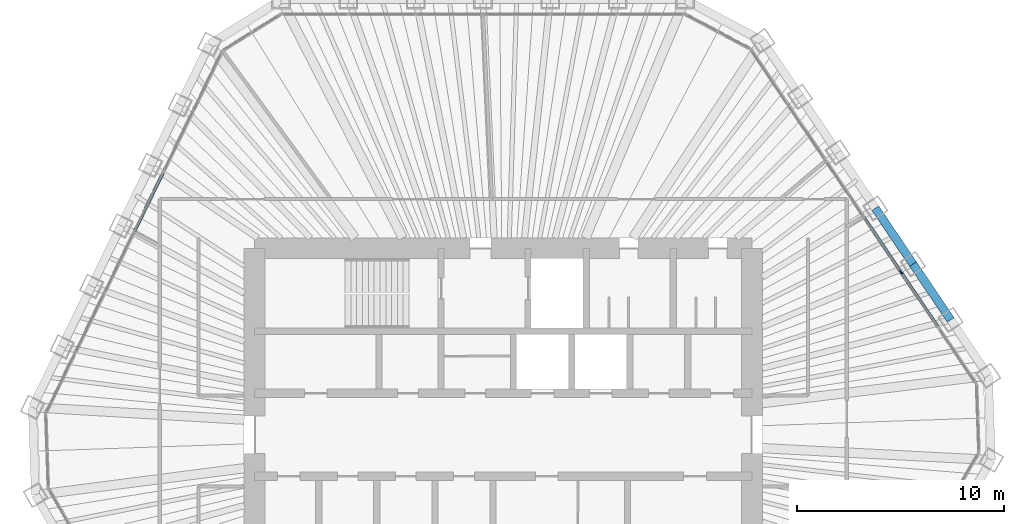
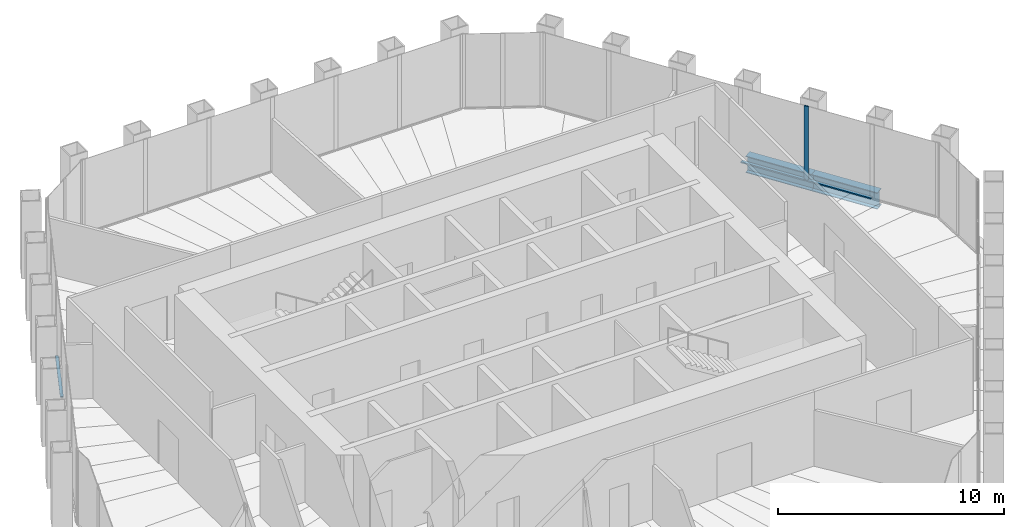
# One storey, part 6 of 14: 4 members, 2 beams, 2 elements without a shape of their own.
"""IFC4 building model written with IfcOpenShell, lengths in metres."""

from ifc_helpers import new_model, si_unit, direction, frame, origin, origin_2d, place, context, subcontext, project, spatial, rectangle, i_section, extrude, material, material_profile, profile_set, type_object, element, aggregate, save


model = new_model("IFC4")

# Units and contexts
model_context = context("Model", 3, precision=1e-05, world=origin(), true_north=direction((0.0, 1.0)))
body_context = subcontext(model_context, "Body", "Model", "MODEL_VIEW")
ifc_project = project(units=[si_unit("LENGTHUNIT", "METRE"), si_unit("AREAUNIT", "SQUARE_METRE"), si_unit("VOLUMEUNIT", "CUBIC_METRE"), si_unit("PLANEANGLEUNIT", "RADIAN"), si_unit("MASSUNIT", "GRAM", prefix="KILO")], contexts=[model_context])

# Site, building, storey
site_placement = place(None, origin())
site = spatial("IfcSite", under=ifc_project, at=site_placement, CompositionType="ELEMENT")
building_placement = place(site_placement, origin())
building = spatial("IfcBuilding", under=site, at=building_placement, Name="Qingtian Harvest Tower", CompositionType="ELEMENT")
storey_placement = place(building_placement, frame((0.0, 0.0, 295.60009765625)))
storey = spatial("IfcBuildingStorey", under=building, at=storey_placement, Name="L65", CompositionType="ELEMENT", Elevation=295.60009765625)

# Curtain wall, member
ifc_material_1 = material(Name="Bronze-anodised aluminium curtain wall", Category="aluminium")
curtain_wall_type = type_object("IfcCurtainWallType", Name="Curtain wall CW5 upper office", PredefinedType="USERDEFINED", material=ifc_material_1)
curtain_wall_1_placement = place(storey_placement, origin())
curtain_wall_1 = element("IfcCurtainWall", 1, at=curtain_wall_1_placement, inside=storey, type_object=curtain_wall_type, Name="Curtain wall CW5 L65 NE0-5", ObjectType="RECESSED CURTAIN WALL", PredefinedType="USERDEFINED")
ifc_material_2 = material(Name="Bronze-anodised aluminium mullion", Category="aluminium")
ifc_material_profile_1 = material_profile(ifc_material_2, rectangle(XDim=0.06494140625, YDim=0.199951171875, at=origin_2d()), Name="AL 65x200")
ifc_profile_set_1 = profile_set([ifc_material_profile_1], Name="Bronze-anodised aluminium mullion")
member_type_1 = type_object("IfcMemberType", Name="Mullion CWM 65x200", PredefinedType="MULLION", material=ifc_profile_set_1)
member_1_placement = place(storey_placement, frame((19.192626953125, 7.847900390625, 0.0), z_axis=(0.0, 0.0, 1.0), x_axis=(0.829037572555, 0.559192903471, 0.0)))
member_1 = element("IfcMember", 2, at=member_1_placement, type_object=member_type_1, Name="CW5 mullion 5", PredefinedType="MULLION", context=body_context, shape_type="SweptSolid", body=[
    extrude(rectangle(XDim=0.06494140625, YDim=0.199951171875, at=origin_2d()), origin(), (0.0, 0.0, 1.0), 4.02978515625),
])

# Beams
ifc_material_3 = material(Name="Steel SN490B", Category="steel")
ifc_material_profile_2 = material_profile(ifc_material_3, i_section(OverallWidth=0.39990234375, OverallDepth=0.89990234375, WebThickness=0.01904296875, FlangeThickness=0.035888671875, at=origin_2d()), Name="H900x400x19x36")
ifc_profile_set_2 = profile_set([ifc_material_profile_2], Name="Steel SN490B")
beam_type = type_object("IfcBeamType", Name="Spandrel beam SB4 H900x400x19x36", PredefinedType="SPANDREL", material=ifc_profile_set_2)
for number, where, z_axis, x_axis, name in (
    (3, (17.956787109375, 10.93212890625, -0.4501953125), (0.55915007887, -0.829066456504, 0.0), (0.829066456504, 0.55915007887, 0.0), "Spandrel SB4 NE3"),
    (4, (19.77294921875, 8.2392578125, -0.4501953125), (0.5592365864, -0.829008106372, 0.0), (0.829008106372, 0.5592365864, 0.0), "Spandrel SB4 NE4"),
):
    element("IfcBeam", number, at=place(storey_placement, frame(where, z_axis=z_axis, x_axis=x_axis)), inside=storey, type_object=beam_type, Name=name, PredefinedType="SPANDREL", context=body_context, shape_type="SweptSolid", body=[
        extrude(i_section(OverallWidth=0.39990234375, OverallDepth=0.89990234375, WebThickness=0.01904296875, FlangeThickness=0.035888671875, at=origin_2d()), origin(), (0.0, 0.0, 1.0), 3.248046875),
    ])

# Member
ifc_material_4 = material(Name="Bronze-anodised aluminium transom", Category="aluminium")
ifc_material_profile_3 = material_profile(ifc_material_4, rectangle(XDim=0.14990234375, YDim=0.06494140625, at=origin_2d()), Name="AL 65x150")
ifc_profile_set_3 = profile_set([ifc_material_profile_3], Name="Bronze-anodised aluminium transom")
member_type_2 = type_object("IfcMemberType", Name="Transom CWT 65x150", PredefinedType="USERDEFINED", material=ifc_profile_set_3)
member_2_placement = place(storey_placement, frame((17.39453125, 10.513671875, 0.032470703125), z_axis=(0.55920542009, -0.829029129852, 0.0), x_axis=(0.829029129852, 0.55920542009, 0.0)))
member_2 = element("IfcMember", 5, at=member_2_placement, type_object=member_type_2, Name="CW5 transom 4.1", ObjectType="TRANSOM", PredefinedType="USERDEFINED", context=body_context, shape_type="SweptSolid", body=[
    extrude(rectangle(XDim=0.14990234375, YDim=0.06494140625, at=origin_2d()), origin(), (0.0, 0.0, 1.0), 3.18310546875),
])

member_3_placement = place(storey_placement, frame((19.2109375, 7.821044921875, 0.032470703125), z_axis=(0.559152702955, -0.829064686727, 0.0), x_axis=(0.829064686727, 0.559152702955, 0.0)))
member_3 = element("IfcMember", 6, at=member_3_placement, type_object=member_type_2, Name="CW5 transom 5.1", ObjectType="TRANSOM", PredefinedType="USERDEFINED", context=body_context, shape_type="SweptSolid", body=[
    extrude(rectangle(XDim=0.14990234375, YDim=0.06494140625, at=origin_2d()), origin(), (0.0, 0.0, 1.0), 3.18310546875),
])

aggregate(curtain_wall_1, [member_1, member_2, member_3])

# Curtain wall, member
curtain_wall_2_placement = place(storey_placement, origin())
curtain_wall_2 = element("IfcCurtainWall", 7, at=curtain_wall_2_placement, inside=storey, type_object=curtain_wall_type, Name="Curtain wall CW5 L65 NW0-5", ObjectType="RECESSED CURTAIN WALL", PredefinedType="USERDEFINED")
member_4_placement = place(storey_placement, frame((-17.802490234375, 9.807373046875, 0.032470703125), z_axis=(0.438355626738, 0.898801615768, 0.0), x_axis=(-0.898801615768, 0.438355626738, 0.0)))
member_4 = element("IfcMember", 8, at=member_4_placement, type_object=member_type_2, Name="CW5 transom 4.1", ObjectType="TRANSOM", PredefinedType="USERDEFINED", context=body_context, shape_type="SweptSolid", body=[
    extrude(rectangle(XDim=0.14990234375, YDim=0.06494140625, at=origin_2d()), origin(), (0.0, 0.0, 1.0), 3.182861328125),
])
aggregate(curtain_wall_2, [member_4])

save(model, "model.ifc")
